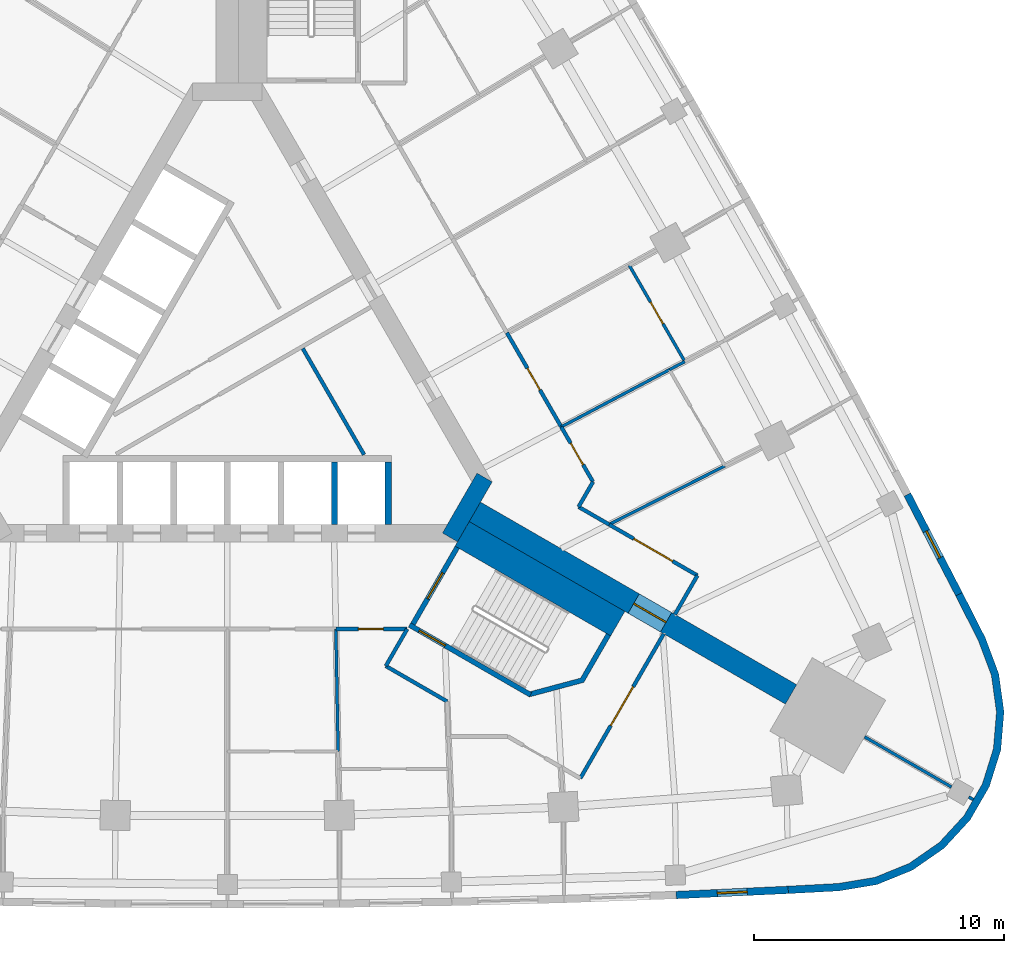
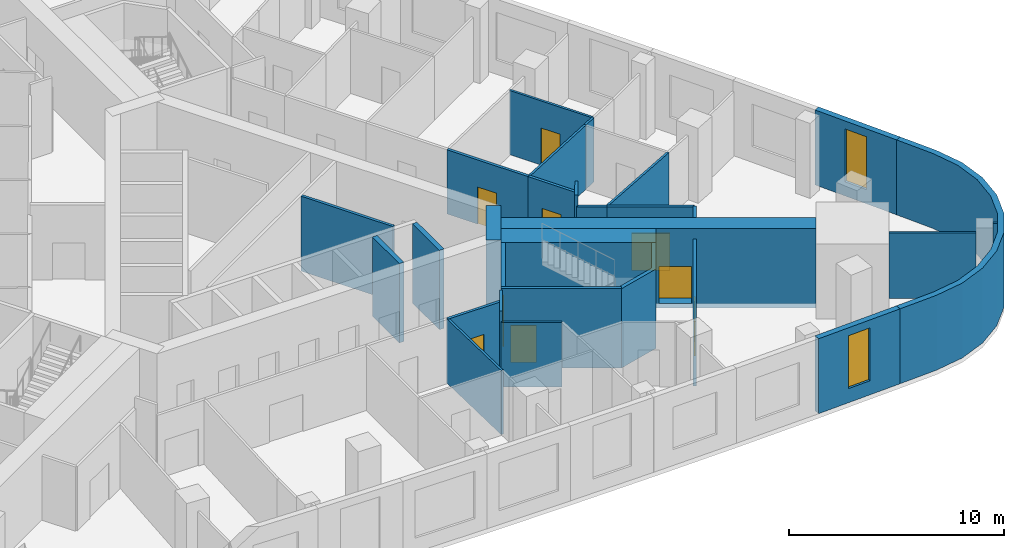
# One storey, part 7 of 11: 29 walls, 9 doors, 2 windows, 11 openings.
"""IFC4 building model written with IfcOpenShell, lengths in metres."""

from ifc_helpers import new_model, si_unit, direction, frame, frame_2d, origin, place, context, subcontext, project, spatial, polyline, rectangle, outline, extrude, material, layer, layer_set, type_object, element, fill, save


model = new_model("IFC4")

# Units and contexts
model_context = context("Model", 3, precision=1e-05, world=origin(), true_north=direction((0.0, 1.0)))
body_context = subcontext(model_context, "Body", "Model", "MODEL_VIEW")
ifc_project = project(units=[si_unit("LENGTHUNIT", "METRE"), si_unit("AREAUNIT", "SQUARE_METRE"), si_unit("VOLUMEUNIT", "CUBIC_METRE"), si_unit("PLANEANGLEUNIT", "RADIAN"), si_unit("MASSUNIT", "GRAM", prefix="KILO")], contexts=[model_context])

# Site, building, storey
site_placement = place(None, origin())
site = spatial("IfcSite", under=ifc_project, at=site_placement, CompositionType="ELEMENT")
building_placement = place(site_placement, origin())
building = spatial("IfcBuilding", under=site, at=building_placement, Name="Noor Cloister Tower", CompositionType="ELEMENT")
storey_placement = place(building_placement, frame((0.0, 0.0, 6.0)))
storey = spatial("IfcBuildingStorey", under=building, at=storey_placement, Name="L01", CompositionType="ELEMENT", Elevation=6.0)

# Wall, opening, door
ifc_material_1 = material(Name="Concrete C80/95", Category="concrete")
ifc_layer_1 = layer(ifc_material_1, 0.89990234375)
ifc_layer_set_1 = layer_set([ifc_layer_1], Name="Buttress wall 900 C80/95")
wall_type_1 = type_object("IfcWallType", Name="Buttress wall 900 C80/95", PredefinedType="SHEAR", material=ifc_layer_set_1)
wall_1_placement = place(storey_placement, frame((9.921630859375, -5.728271484375, -0.25), z_axis=(0.0, 0.0, 1.0), x_axis=(0.866028046028, -0.499995423472, 0.0)))
wall_1 = element("IfcWall", 1, at=wall_1_placement, inside=storey, type_object=wall_type_1, Name="Buttress wall SE L01", PredefinedType="SHEAR", context=body_context, shape_type="SweptSolid", body=[
    extrude(rectangle(XDim=14.632568359375, YDim=0.89990234375, at=frame_2d((7.31640625, 0.0))), origin(), (0.0, 0.0, 1.0), 4.5),
])
opening_1_placement = place(wall_1_placement, frame((7.35009765625, 0.0, 0.25)))
opening_1 = element("IfcOpeningElement", 2, at=opening_1_placement, cuts=wall_1, Name="Opening L01-036", PredefinedType="OPENING", context=body_context, shape_type="SweptSolid", body=[
    extrude(rectangle(XDim=1.5, YDim=2.10009765625, at=frame_2d((0.75, 1.050048828125))), frame((0.0, 0.4599609375, 0.0), z_axis=(0.0, -1.0, 0.0), x_axis=(1.0, 0.0, 0.0)), (0.0, 0.0, 1.0), 0.919921875),
])
ifc_material_2 = material(Name="Steel fire door", Category="steel")
door_type_1 = type_object("IfcDoorType", Name="Smoke barrier door FD60 1500", OperationType="DOUBLE_DOOR_SINGLE_SWING", PredefinedType="DOOR", material=ifc_material_2)
door_1_placement = place(opening_1_placement, origin())
door_1 = element("IfcDoor", 3, at=door_1_placement, inside=storey, type_object=door_type_1, Name="Door L01-036", OperationType="DOUBLE_DOOR_SINGLE_SWING", OverallHeight=2.10009765625, OverallWidth=1.5, PredefinedType="DOOR", context=body_context, shape_type="SweptSolid", body=[
    extrude(rectangle(XDim=1.5, YDim=2.10009765625, at=frame_2d((0.75, 1.050048828125))), frame((0.0, 0.02490234375, 0.0), z_axis=(0.0, -1.0, 0.0), x_axis=(1.0, 0.0, 0.0)), (0.0, 0.0, 1.0), 0.050048828125),
])
fill(opening_1, door_1)

# Walls
ifc_material_3 = material(Name="Concrete C30/37", Category="concrete")
ifc_layer_2 = layer(ifc_material_3, 0.14990234375)
ifc_layer_set_2 = layer_set([ifc_layer_2], Name="Core partition 150 C30/37")
wall_type_2 = type_object("IfcWallType", Name="Core partition 150 C30/37", PredefinedType="PARTITIONING", material=ifc_layer_set_2)
wall_2_placement = place(storey_placement, frame((5.482421875, -3.439208984375, 0.0), z_axis=(0.0, 0.0, 1.0), x_axis=(-0.500006183238, 0.866021833861, 0.0)))
element("IfcWall", 4, at=wall_2_placement, inside=storey, type_object=wall_type_2, Name="Core room partition L01 4", PredefinedType="PARTITIONING", context=body_context, shape_type="SweptSolid", body=[
    extrude(rectangle(XDim=4.916015625, YDim=0.14990234375, at=frame_2d((2.4580078125, 0.0))), origin(), (0.0, 0.0, 1.0), 4.25),
])
ifc_material_4 = material(Name="Concrete C80/95", Category="concrete")
ifc_layer_3 = layer(ifc_material_4, 0.699951171875)
ifc_layer_set_3 = layer_set([ifc_layer_3], Name="Core wall 700 C80/95")
wall_type_3 = type_object("IfcWallType", Name="Core wall 700 C80/95", PredefinedType="SHEAR", material=ifc_layer_set_3)
wall_3_placement = place(storey_placement, frame((8.925537109375, -6.753173828125, -0.25), z_axis=(0.0, 0.0, 1.0), x_axis=(0.500042739161, 0.866000726912, 0.0)))
element("IfcWall", 5, at=wall_3_placement, inside=storey, type_object=wall_type_3, Name="Core wall L01 2", PredefinedType="SHEAR", context=body_context, shape_type="SweptSolid", body=[
    extrude(rectangle(XDim=2.771240234375, YDim=0.699951171875, at=frame_2d((1.3857421875, 0.0))), origin(), (0.0, 0.0, 1.0), 4.5),
])

# Wall, opening, door
ifc_material_5 = material(Name="Plasterboard on steel studs", Category="steel")
ifc_layer_4 = layer(ifc_material_5, 0.14990234375)
ifc_layer_set_4 = layer_set([ifc_layer_4], Name="Corridor wall 150")
wall_type_4 = type_object("IfcWallType", Name="Corridor wall 150", PredefinedType="PARTITIONING", material=ifc_layer_set_4)
wall_4_placement = place(storey_placement, frame((17.490966796875, -10.617919921875, 0.0), z_axis=(0.0, 0.0, 1.0), x_axis=(-0.499969057507, -0.866043267704, 0.0)))
wall_4 = element("IfcWall", 6, at=wall_4_placement, inside=storey, type_object=wall_type_4, Name="Partition", PredefinedType="PARTITIONING", context=body_context, shape_type="SweptSolid", body=[
    extrude(rectangle(XDim=6.6845703125, YDim=0.14990234375, at=frame_2d((3.34228515625, 0.0))), origin(), (0.0, 0.0, 1.0), 3.637939453125),
])
opening_2_placement = place(wall_4_placement, frame((2.449951171875, 0.0, 0.0)))
opening_2 = element("IfcOpeningElement", 7, at=opening_2_placement, cuts=wall_4, Name="Opening L01-005", PredefinedType="OPENING", context=body_context, shape_type="SweptSolid", body=[
    extrude(rectangle(XDim=1.800048828125, YDim=2.10009765625, at=frame_2d((0.89990234375, 1.050048828125))), frame((0.0, 0.0849609375, 0.0), z_axis=(0.0, -1.0, 0.0), x_axis=(1.0, 0.0, 0.0)), (0.0, 0.0, 1.0), 0.169921875),
])
ifc_material_6 = material(Name="Timber door leaf", Category="wood")
door_type_2 = type_object("IfcDoorType", Name="Double leaf door 1800", OperationType="DOUBLE_DOOR_SINGLE_SWING", PredefinedType="DOOR", material=ifc_material_6)
door_2_placement = place(opening_2_placement, origin())
door_2 = element("IfcDoor", 8, at=door_2_placement, inside=storey, type_object=door_type_2, Name="Door L01-005", OperationType="DOUBLE_DOOR_SINGLE_SWING", OverallHeight=2.10009765625, OverallWidth=1.800048828125, PredefinedType="DOOR", context=body_context, shape_type="SweptSolid", body=[
    extrude(rectangle(XDim=1.800048828125, YDim=2.10009765625, at=frame_2d((0.89990234375, 1.050048828125))), frame((0.0, 0.02490234375, 0.0), z_axis=(0.0, -1.0, 0.0), x_axis=(1.0, 0.0, 0.0)), (0.0, 0.0, 1.0), 0.050048828125),
])
fill(opening_2, door_2)

# Walls
wall_5_placement = place(storey_placement, frame((8.81298828125, -13.3291015625, 0.0), z_axis=(0.0, 0.0, 1.0), x_axis=(-0.865804661524, 0.50038214205, 0.0)))
element("IfcWall", 9, at=wall_5_placement, inside=storey, type_object=wall_type_4, Name="Partition", PredefinedType="PARTITIONING", context=body_context, shape_type="SweptSolid", body=[
    extrude(rectangle(XDim=2.840087890625, YDim=0.14990234375, at=frame_2d((1.419921875, 0.0))), origin(), (0.0, 0.0, 1.0), 3.637939453125),
])
wall_6_placement = place(storey_placement, frame((6.35400390625, -11.906005859375, 0.0), z_axis=(0.0, 0.0, 1.0), x_axis=(0.500291894738, 0.865856812677, 0.0)))
element("IfcWall", 10, at=wall_6_placement, inside=storey, type_object=wall_type_4, Name="Partition", PredefinedType="PARTITIONING", context=body_context, shape_type="SweptSolid", body=[
    extrude(rectangle(XDim=1.70703125, YDim=0.14990234375, at=frame_2d((0.853515625, 0.0))), origin(), (0.0, 0.0, 1.0), 4.25),
])

# Wall, opening, door
wall_7_placement = place(storey_placement, frame((7.2080078125, -10.427978515625, 0.0), z_axis=(0.0, 0.0, 1.0), x_axis=(-1.0, 0.0, 0.0)))
wall_7 = element("IfcWall", 11, at=wall_7_placement, inside=storey, type_object=wall_type_4, Name="Partition", PredefinedType="PARTITIONING", context=body_context, shape_type="SweptSolid", body=[
    extrude(rectangle(XDim=2.861083984375, YDim=0.14990234375, at=frame_2d((1.4306640625, 0.0))), origin(), (0.0, 0.0, 1.0), 3.637939453125),
])
opening_3_placement = place(wall_7_placement, frame((0.949951171875, 0.0, 0.0)))
opening_3 = element("IfcOpeningElement", 12, at=opening_3_placement, cuts=wall_7, Name="Opening L01-009", PredefinedType="OPENING", context=body_context, shape_type="SweptSolid", body=[
    extrude(rectangle(XDim=1.0, YDim=2.10009765625, at=frame_2d((0.5, 1.050048828125))), frame((0.0, 0.0849609375, 0.0), z_axis=(0.0, -1.0, 0.0), x_axis=(1.0, 0.0, 0.0)), (0.0, 0.0, 1.0), 0.169921875),
])
ifc_material_7 = material(Name="Timber door leaf", Category="wood")
door_type_3 = type_object("IfcDoorType", Name="Clinic room door 1000", OperationType="SINGLE_SWING_LEFT", PredefinedType="DOOR", material=ifc_material_7)
door_3_placement = place(opening_3_placement, origin())
door_3 = element("IfcDoor", 13, at=door_3_placement, inside=storey, type_object=door_type_3, Name="Door L01-009", OperationType="SINGLE_SWING_RIGHT", OverallHeight=2.10009765625, OverallWidth=1.0, PredefinedType="DOOR", context=body_context, shape_type="SweptSolid", body=[
    extrude(rectangle(XDim=1.0, YDim=2.10009765625, at=frame_2d((0.5, 1.050048828125))), frame((0.0, 0.02490234375, 0.0), z_axis=(0.0, -1.0, 0.0), x_axis=(1.0, 0.0, 0.0)), (0.0, 0.0, 1.0), 0.050048828125),
])
fill(opening_3, door_3)

wall_8_placement = place(storey_placement, frame((15.294921875, -6.23193359375, 0.0), z_axis=(0.0, 0.0, 1.0), x_axis=(0.865991915229, -0.500057999394, 0.0)))
wall_8 = element("IfcWall", 14, at=wall_8_placement, inside=storey, type_object=wall_type_4, Name="Partition", PredefinedType="PARTITIONING", context=body_context, shape_type="SweptSolid", body=[
    extrude(rectangle(XDim=4.09375, YDim=0.14990234375, at=frame_2d((2.046875, 0.0))), origin(), (0.0, 0.0, 1.0), 3.637939453125),
])
opening_4_placement = place(wall_8_placement, frame((1.14990234375, 0.0, 0.0)))
opening_4 = element("IfcOpeningElement", 15, at=opening_4_placement, cuts=wall_8, Name="Opening L01-011", PredefinedType="OPENING", context=body_context, shape_type="SweptSolid", body=[
    extrude(rectangle(XDim=1.800048828125, YDim=2.10009765625, at=frame_2d((0.89990234375, 1.050048828125))), frame((0.0, 0.0849609375, 0.0), z_axis=(0.0, -1.0, 0.0), x_axis=(1.0, 0.0, 0.0)), (0.0, 0.0, 1.0), 0.169921875),
])
door_4_placement = place(opening_4_placement, origin())
door_4 = element("IfcDoor", 16, at=door_4_placement, inside=storey, type_object=door_type_2, Name="Door L01-011", OperationType="DOUBLE_DOOR_SINGLE_SWING", OverallHeight=2.10009765625, OverallWidth=1.800048828125, PredefinedType="DOOR", context=body_context, shape_type="SweptSolid", body=[
    extrude(rectangle(XDim=1.800048828125, YDim=2.10009765625, at=frame_2d((0.89990234375, 1.050048828125))), frame((0.0, 0.02490234375, 0.0), z_axis=(0.0, -1.0, 0.0), x_axis=(1.0, 0.0, 0.0)), (0.0, 0.0, 1.0), 0.050048828125),
])
fill(opening_4, door_4)

# Wall
wall_9_placement = place(storey_placement, frame((18.840087890625, -8.281005859375, 0.0), z_axis=(0.0, 0.0, 1.0), x_axis=(-0.500126010714, -0.86595263924, 0.0)))
element("IfcWall", 17, at=wall_9_placement, inside=storey, type_object=wall_type_4, Name="Partition", PredefinedType="PARTITIONING", context=body_context, shape_type="SweptSolid", body=[
    extrude(rectangle(XDim=1.7978515625, YDim=0.14990234375, at=frame_2d((0.89892578125, 0.0))), origin(), (0.0, 0.0, 1.0), 3.637939453125),
])

# Wall, opening, door
wall_10_placement = place(storey_placement, frame((13.385009765625, -2.325927734375, 0.0), z_axis=(0.0, 0.0, 1.0), x_axis=(0.500043940957, -0.866000032975, 0.0)))
wall_10 = element("IfcWall", 18, at=wall_10_placement, inside=storey, type_object=wall_type_4, Name="Partition", PredefinedType="PARTITIONING", context=body_context, shape_type="SweptSolid", body=[
    extrude(rectangle(XDim=2.541748046875, YDim=0.14990234375, at=frame_2d((1.27099609375, 0.0))), origin(), (0.0, 0.0, 1.0), 3.637939453125),
])
opening_5_placement = place(wall_10_placement, frame((0.75, 0.0, 0.0)))
opening_5 = element("IfcOpeningElement", 19, at=opening_5_placement, cuts=wall_10, Name="Opening L01-012", PredefinedType="OPENING", context=body_context, shape_type="SweptSolid", body=[
    extrude(rectangle(XDim=1.0, YDim=2.10009765625, at=frame_2d((0.5, 1.050048828125))), frame((0.0, 0.0849609375, 0.0), z_axis=(0.0, -1.0, 0.0), x_axis=(1.0, 0.0, 0.0)), (0.0, 0.0, 1.0), 0.169921875),
])
door_5_placement = place(opening_5_placement, origin())
door_5 = element("IfcDoor", 20, at=door_5_placement, inside=storey, type_object=door_type_3, Name="Door L01-012", OperationType="SINGLE_SWING_LEFT", OverallHeight=2.10009765625, OverallWidth=1.0, PredefinedType="DOOR", context=body_context, shape_type="SweptSolid", body=[
    extrude(rectangle(XDim=1.0, YDim=2.10009765625, at=frame_2d((0.5, 1.050048828125))), frame((0.0, 0.02490234375, 0.0), z_axis=(0.0, -1.0, 0.0), x_axis=(1.0, 0.0, 0.0)), (0.0, 0.0, 1.0), 0.050048828125),
])
fill(opening_5, door_5)

# Walls
wall_11_placement = place(storey_placement, frame((14.656005859375, -4.529052734375, 0.0), z_axis=(0.0, 0.0, 1.0), x_axis=(-0.500502949238, -0.865734831114, 0.0)))
element("IfcWall", 21, at=wall_11_placement, inside=storey, type_object=wall_type_4, Name="Partition", PredefinedType="PARTITIONING", context=body_context, shape_type="SweptSolid", body=[
    extrude(rectangle(XDim=1.155029296875, YDim=0.14990234375, at=frame_2d((0.57763671875, 0.0))), origin(), (0.0, 0.0, 1.0), 4.25),
])
wall_12_placement = place(storey_placement, frame((14.077880859375, -5.529052734375, 0.0), z_axis=(0.0, 0.0, 1.0), x_axis=(0.865984561414, -0.500070734389, 0.0)))
element("IfcWall", 22, at=wall_12_placement, inside=storey, type_object=wall_type_4, Name="Partition", PredefinedType="PARTITIONING", context=body_context, shape_type="SweptSolid", body=[
    extrude(rectangle(XDim=1.415771484375, YDim=0.14990234375, at=frame_2d((0.7080078125, 0.0))), origin(), (0.0, 0.0, 1.0), 3.637939453125),
])

# Wall, opening, door
wall_13_placement = place(storey_placement, frame((11.205078125, 1.449951171875, 0.0), z_axis=(0.0, 0.0, 1.0), x_axis=(0.50011048, -0.86596160873, 0.0)))
wall_13 = element("IfcWall", 23, at=wall_13_placement, inside=storey, type_object=wall_type_4, Name="Partition", PredefinedType="PARTITIONING", context=body_context, shape_type="SweptSolid", body=[
    extrude(rectangle(XDim=4.35693359375, YDim=0.14990234375, at=frame_2d((2.178466796875, 0.0))), origin(), (0.0, 0.0, 1.0), 3.637939453125),
])
opening_6_placement = place(wall_13_placement, frame((1.64990234375, 0.0, 0.0)))
opening_6 = element("IfcOpeningElement", 24, at=opening_6_placement, cuts=wall_13, Name="Opening L01-014", PredefinedType="OPENING", context=body_context, shape_type="SweptSolid", body=[
    extrude(rectangle(XDim=1.0, YDim=2.10009765625, at=frame_2d((0.5, 1.050048828125))), frame((0.0, 0.0849609375, 0.0), z_axis=(0.0, -1.0, 0.0), x_axis=(1.0, 0.0, 0.0)), (0.0, 0.0, 1.0), 0.169921875),
])
door_6_placement = place(opening_6_placement, origin())
door_6 = element("IfcDoor", 25, at=door_6_placement, inside=storey, type_object=door_type_3, Name="Door L01-014", OperationType="SINGLE_SWING_LEFT", OverallHeight=2.10009765625, OverallWidth=1.0, PredefinedType="DOOR", context=body_context, shape_type="SweptSolid", body=[
    extrude(rectangle(XDim=1.0, YDim=2.10009765625, at=frame_2d((0.5, 1.050048828125))), frame((0.0, 0.02490234375, 0.0), z_axis=(0.0, -1.0, 0.0), x_axis=(1.0, 0.0, 0.0)), (0.0, 0.0, 1.0), 0.050048828125),
])
fill(opening_6, door_6)

# Wall
ifc_material_8 = material(Name="Limestone", Category="masonry")
ifc_layer_5 = layer(ifc_material_8, 0.300048828125)
ifc_layer_set_5 = layer_set([ifc_layer_5], Name="Limestone cladding 300")
wall_type_5 = type_object("IfcWallType", Name="Limestone cladding 300", PredefinedType="NOTDEFINED", material=ifc_layer_set_5)
wall_14_placement = place(storey_placement, origin())
element("IfcWall", 26, at=wall_14_placement, inside=storey, type_object=wall_type_5, Name="Limestone pier cladding L01 2.1", PredefinedType="NOTDEFINED", context=body_context, shape_type="SweptSolid", body=[
    extrude(outline(polyline([(22.490234375, -21.02978515625), (24.52197265625, -20.920654296875), (26.03955078125, -20.666259765625), (27.46484375, -20.086181640625), (28.72900390625, -19.208984375), (29.77099609375, -18.07666015625), (30.540283203125, -16.744140625), (31.0, -15.275634765625), (31.127685546875, -13.7421875), (30.917236328125, -12.2177734375), (30.378662109375, -10.7763671875), (29.457275390625, -8.962158203125), (29.18994140625, -9.097900390625), (30.103515625, -10.89697265625), (30.62451171875, -12.291748046875), (30.825927734375, -13.750244140625), (30.70361328125, -15.217529296875), (30.263916015625, -16.622802734375), (29.52783203125, -17.89794921875), (28.53076171875, -18.9814453125), (27.321044921875, -19.82080078125), (25.95703125, -20.375732421875), (24.489013671875, -20.621826171875), (22.47412109375, -20.730224609375), (22.490234375, -21.02978515625)])), origin(), (0.0, 0.0, 1.0), 4.25),
])

# Wall, opening, window
ifc_material_9 = material(Name="Limestone", Category="masonry")
ifc_layer_6 = layer(ifc_material_9, 0.300048828125)
ifc_layer_set_6 = layer_set([ifc_layer_6], Name="Limestone panel wall 300")
wall_type_6 = type_object("IfcWallType", Name="Limestone panel wall 300", PredefinedType="NOTDEFINED", material=ifc_layer_set_6)
wall_15_placement = place(storey_placement, frame((22.481201171875, -20.8798828125, 0.0), z_axis=(0.0, 0.0, 1.0), x_axis=(-0.998931717866, -0.046210637742, 0.0)))
wall_15 = element("IfcWall", 27, at=wall_15_placement, inside=storey, type_object=wall_type_6, Name="Limestone wall L01 S 10", PredefinedType="NOTDEFINED", context=body_context, shape_type="SweptSolid", body=[
    extrude(rectangle(XDim=4.49609375, YDim=0.300048828125, at=frame_2d((2.248046875, 0.0))), origin(), (0.0, 0.0, 1.0), 4.25),
])
opening_7_placement = place(wall_15_placement, frame((1.64794921875, 0.0, 0.800048828125)))
opening_7 = element("IfcOpeningElement", 28, at=opening_7_placement, cuts=wall_15, Name="Opening L01-W20", PredefinedType="OPENING", context=body_context, shape_type="SweptSolid", body=[
    extrude(rectangle(XDim=1.199951171875, YDim=3.0, at=frame_2d((0.60009765625, 1.5))), frame((0.0, 0.16015625, 0.0), z_axis=(0.0, -1.0, 0.0), x_axis=(1.0, 0.0, 0.0)), (0.0, 0.0, 1.0), 0.320068359375),
])
ifc_material_10 = material(Name="Aluminium 6063-T6 anodised", Category="aluminium")
window_type = type_object("IfcWindowType", Name="Lancet window 1200 x 3000", PartitioningType="SINGLE_PANEL", PredefinedType="WINDOW", material=ifc_material_10)
window_1_placement = place(opening_7_placement, origin())
window_1 = element("IfcWindow", 29, at=window_1_placement, inside=storey, type_object=window_type, Name="Window L01 20", OverallHeight=3.0, OverallWidth=1.199951171875, PartitioningType="SINGLE_PANEL", PredefinedType="WINDOW", context=body_context, shape_type="SweptSolid", body=[
    extrude(rectangle(XDim=1.199951171875, YDim=3.0, at=frame_2d((0.60009765625, 1.5))), frame((0.0, 0.030029296875, 0.0), z_axis=(0.0, -1.0, 0.0), x_axis=(1.0, 0.0, 0.0)), (0.0, 0.0, 1.0), 0.06005859375),
])
fill(opening_7, window_1)

wall_16_placement = place(storey_placement, frame((27.257568359375, -5.035888671875, 0.0), z_axis=(0.0, 0.0, 1.0), x_axis=(0.459443600121, -0.888206945654, 0.0)))
wall_16 = element("IfcWall", 30, at=wall_16_placement, inside=storey, type_object=wall_type_6, Name="Limestone wall L01 NE 1", PredefinedType="NOTDEFINED", context=body_context, shape_type="SweptSolid", body=[
    extrude(rectangle(XDim=4.49609375, YDim=0.300048828125, at=frame_2d((2.248046875, 0.0))), origin(), (0.0, 0.0, 1.0), 4.25),
])
opening_8_placement = place(wall_16_placement, frame((1.64794921875, 0.0, 0.800048828125)))
opening_8 = element("IfcOpeningElement", 31, at=opening_8_placement, cuts=wall_16, Name="Opening L01-W21", PredefinedType="OPENING", context=body_context, shape_type="SweptSolid", body=[
    extrude(rectangle(XDim=1.199951171875, YDim=3.0, at=frame_2d((0.60009765625, 1.5))), frame((0.0, 0.16015625, 0.0), z_axis=(0.0, -1.0, 0.0), x_axis=(1.0, 0.0, 0.0)), (0.0, 0.0, 1.0), 0.320068359375),
])
window_2_placement = place(opening_8_placement, origin())
window_2 = element("IfcWindow", 32, at=window_2_placement, inside=storey, type_object=window_type, Name="Window L01 21", OverallHeight=3.0, OverallWidth=1.199951171875, PartitioningType="SINGLE_PANEL", PredefinedType="WINDOW", context=body_context, shape_type="SweptSolid", body=[
    extrude(rectangle(XDim=1.199951171875, YDim=3.0, at=frame_2d((0.60009765625, 1.5))), frame((0.0, 0.030029296875, 0.0), z_axis=(0.0, -1.0, 0.0), x_axis=(1.0, 0.0, 0.0)), (0.0, 0.0, 1.0), 0.06005859375),
])
fill(opening_8, window_2)

# Walls
ifc_material_11 = material(Name="Plasterboard on steel studs", Category="steel")
ifc_layer_7 = layer(ifc_material_11, 0.1201171875)
ifc_layer_set_7 = layer_set([ifc_layer_7], Name="Partition wall 120")
wall_type_7 = type_object("IfcWallType", Name="Partition wall 120", PredefinedType="PARTITIONING", material=ifc_layer_set_7)
wall_17_placement = place(storey_placement, frame((29.02294921875, -16.757080078125, 0.0), z_axis=(0.0, 0.0, 1.0), x_axis=(-0.866027971625, 0.499995552344, 0.0)))
element("IfcWall", 33, at=wall_17_placement, inside=storey, type_object=wall_type_7, Name="Partition", PredefinedType="PARTITIONING", context=body_context, shape_type="SweptSolid", body=[
    extrude(rectangle(XDim=4.02392578125, YDim=0.1201171875, at=frame_2d((2.011962890625, 0.0))), origin(), (0.0, 0.0, 1.0), 3.717041015625),
])
wall_18_placement = place(storey_placement, frame((29.89599609375, -17.260986328125, 0.0), z_axis=(0.0, 0.0, 1.0), x_axis=(-0.865774595023, 0.500434162116, 0.0)))
element("IfcWall", 34, at=wall_18_placement, inside=storey, type_object=wall_type_7, Name="Partition", PredefinedType="PARTITIONING", context=body_context, shape_type="SweptSolid", body=[
    extrude(rectangle(XDim=0.207763671875, YDim=0.1201171875, at=frame_2d((0.10400390625, 0.0))), origin(), (0.0, 0.0, 1.0), 4.25),
])
wall_19_placement = place(storey_placement, frame((4.44189453125, -15.33203125, 0.0), z_axis=(0.0, 0.0, 1.0), x_axis=(-0.018519952131, 0.999828490979, 0.0)))
element("IfcWall", 35, at=wall_19_placement, inside=storey, type_object=wall_type_7, Name="Partition", PredefinedType="PARTITIONING", context=body_context, shape_type="SweptSolid", body=[
    extrude(rectangle(XDim=4.90380859375, YDim=0.1201171875, at=frame_2d((2.451904296875, 0.0))), origin(), (0.0, 0.0, 1.0), 3.637939453125),
])
wall_20_placement = place(storey_placement, frame((19.94189453125, -3.887939453125, 0.0), z_axis=(0.0, 0.0, 1.0), x_axis=(-0.89239982182, -0.451245562877, 0.0)))
element("IfcWall", 36, at=wall_20_placement, inside=storey, type_object=wall_type_7, Name="Partition", PredefinedType="PARTITIONING", context=body_context, shape_type="SweptSolid", body=[
    extrude(rectangle(XDim=5.201416015625, YDim=0.1201171875, at=frame_2d((2.6005859375, 0.0))), origin(), (0.0, 0.0, 1.0), 3.637939453125),
])
wall_21_placement = place(storey_placement, frame((17.717041015625, -0.033935546875, 0.0), z_axis=(0.0, 0.0, 1.0), x_axis=(-0.884117284138, -0.467265051003, 0.0)))
element("IfcWall", 37, at=wall_21_placement, inside=storey, type_object=wall_type_7, Name="Partition", PredefinedType="PARTITIONING", context=body_context, shape_type="SweptSolid", body=[
    extrude(rectangle(XDim=4.90087890625, YDim=0.1201171875, at=frame_2d((2.450439453125, 0.0))), origin(), (0.0, 0.0, 1.0), 3.637939453125),
])
wall_22_placement = place(storey_placement, frame((18.3359375, 0.2939453125, 0.0), z_axis=(0.0, 0.0, 1.0), x_axis=(-0.883890154601, -0.467694552672, 0.0)))
element("IfcWall", 38, at=wall_22_placement, inside=storey, type_object=wall_type_7, Name="Partition", PredefinedType="PARTITIONING", context=body_context, shape_type="SweptSolid", body=[
    extrude(rectangle(XDim=0.69677734375, YDim=0.1201171875, at=frame_2d((0.348388671875, 0.0))), origin(), (0.0, 0.0, 1.0), 3.637939453125),
])

# Wall, opening, door
wall_23_placement = place(storey_placement, frame((18.3359375, 0.294921875, 0.0), z_axis=(0.0, 0.0, 1.0), x_axis=(-0.499992780121, 0.866029572143, 0.0)))
wall_23 = element("IfcWall", 39, at=wall_23_placement, inside=storey, type_object=wall_type_7, Name="Partition", PredefinedType="PARTITIONING", context=body_context, shape_type="SweptSolid", body=[
    extrude(rectangle(XDim=4.4560546875, YDim=0.1201171875, at=frame_2d((2.22802734375, 0.0))), origin(), (0.0, 0.0, 1.0), 3.637939453125),
])
opening_9_placement = place(wall_23_placement, frame((1.75, 0.0, 0.0)))
opening_9 = element("IfcOpeningElement", 40, at=opening_9_placement, cuts=wall_23, Name="Opening L01-016", PredefinedType="OPENING", context=body_context, shape_type="SweptSolid", body=[
    extrude(rectangle(XDim=1.0, YDim=2.10009765625, at=frame_2d((0.5, 1.050048828125))), frame((0.0, 0.070068359375, 0.0), z_axis=(0.0, -1.0, 0.0), x_axis=(1.0, 0.0, 0.0)), (0.0, 0.0, 1.0), 0.14013671875),
])
door_7_placement = place(opening_9_placement, origin())
door_7 = element("IfcDoor", 41, at=door_7_placement, inside=storey, type_object=door_type_3, Name="Door L01-016", OperationType="SINGLE_SWING_LEFT", OverallHeight=2.10009765625, OverallWidth=1.0, PredefinedType="DOOR", context=body_context, shape_type="SweptSolid", body=[
    extrude(rectangle(XDim=1.0, YDim=2.10009765625, at=frame_2d((0.5, 1.050048828125))), frame((0.0, 0.02490234375, 0.0), z_axis=(0.0, -1.0, 0.0), x_axis=(1.0, 0.0, 0.0)), (0.0, 0.0, 1.0), 0.050048828125),
])
fill(opening_9, door_7)

# Walls
ifc_material_12 = material(Name="Concrete C80/95", Category="concrete")
ifc_layer_8 = layer(ifc_material_12, 0.25)
ifc_layer_set_8 = layer_set([ifc_layer_8], Name="Shaft wall 250 C80/95")
wall_type_8 = type_object("IfcWallType", Name="Shaft wall 250 C80/95", PredefinedType="PARTITIONING", material=ifc_layer_set_8)
for number, where, z_axis, x_axis, name in (
    (42, (4.300048828125, -6.228271484375, -0.25), (0.0, 0.0, 1.0), (0.0, 1.0, 0.0), "Lift shaft wall L01 S 6"),
    (43, (6.449951171875, -6.228271484375, -0.25), (0.0, 0.0, 1.0), (0.0, 1.0, 0.0), "Lift shaft wall L01 S 7"),
):
    element("IfcWall", number, at=place(storey_placement, frame(where, z_axis=z_axis, x_axis=x_axis)), inside=storey, type_object=wall_type_8, Name=name, PredefinedType="PARTITIONING", context=body_context, shape_type="SweptSolid", body=[
        extrude(rectangle(XDim=2.5, YDim=0.25, at=frame_2d((1.25, 0.0))), origin(), (0.0, 0.0, 1.0), 4.5),
    ])
ifc_material_13 = material(Name="Concrete C80/95", Category="concrete")
ifc_layer_9 = layer(ifc_material_13, 1.135986328125)
ifc_layer_set_9 = layer_set([ifc_layer_9], Name="Stair enclosure wall 1136 C80/95")
wall_type_9 = type_object("IfcWallType", Name="Stair enclosure wall 1136 C80/95", PredefinedType="SHEAR", material=ifc_layer_set_9)
wall_24_placement = place(storey_placement, frame((9.41259765625, -6.609619140625, -0.25), z_axis=(0.0, 0.0, 1.0), x_axis=(0.866018442252, -0.500012057535, 0.0)))
element("IfcWall", 44, at=wall_24_placement, inside=storey, type_object=wall_type_9, Name="Stair enclosure wall ST3 L01 riser side", PredefinedType="SHEAR", context=body_context, shape_type="SweptSolid", body=[
    extrude(rectangle(XDim=7.199951171875, YDim=1.1357421875, at=frame_2d((3.60009765625, 0.0))), origin(), (0.0, 0.0, 1.0), 4.5),
])

# Wall, opening, door
ifc_material_14 = material(Name="Concrete C80/95", Category="concrete")
ifc_layer_10 = layer(ifc_material_14, 0.199951171875)
ifc_layer_set_10 = layer_set([ifc_layer_10], Name="Stair enclosure wall 200 C80/95")
wall_type_10 = type_object("IfcWallType", Name="Stair enclosure wall 200 C80/95", PredefinedType="SHEAR", material=ifc_layer_set_10)
wall_25_placement = place(storey_placement, frame((7.440185546875, -10.225830078125, -0.25), z_axis=(0.0, 0.0, 1.0), x_axis=(0.500022077904, 0.866012656725, 0.0)))
wall_25 = element("IfcWall", 45, at=wall_25_placement, inside=storey, type_object=wall_type_10, Name="Stair enclosure wall ST3 L01 near end", PredefinedType="SHEAR", context=body_context, shape_type="SweptSolid", body=[
    extrude(rectangle(XDim=3.550048828125, YDim=0.199951171875, at=frame_2d((1.77490234375, 0.0))), origin(), (0.0, 0.0, 1.0), 4.5),
])
opening_10_placement = place(wall_25_placement, frame((1.175048828125, 0.0, 0.25)))
opening_10 = element("IfcOpeningElement", 46, at=opening_10_placement, cuts=wall_25, Name="Opening L01-ST3L", PredefinedType="OPENING", context=body_context, shape_type="SweptSolid", body=[
    extrude(rectangle(XDim=1.199951171875, YDim=2.10009765625, at=frame_2d((0.60009765625, 1.050048828125))), frame((0.0, 0.10986328125, 0.0), z_axis=(0.0, -1.0, 0.0), x_axis=(1.0, 0.0, 0.0)), (0.0, 0.0, 1.0), 0.219970703125),
])
ifc_material_15 = material(Name="Steel", Category="steel")
door_type_4 = type_object("IfcDoorType", Name="Stair door 1200 x 2100 FD120", OperationType="SINGLE_SWING_LEFT", PredefinedType="DOOR", material=ifc_material_15)
door_8_placement = place(opening_10_placement, origin())
door_8 = element("IfcDoor", 47, at=door_8_placement, inside=storey, type_object=door_type_4, Name="Stair door ST3 L01", OperationType="SINGLE_SWING_RIGHT", OverallHeight=2.10009765625, OverallWidth=1.199951171875, PredefinedType="DOOR", context=body_context, shape_type="SweptSolid", body=[
    extrude(rectangle(XDim=1.199951171875, YDim=2.10009765625, at=frame_2d((0.60009765625, 1.050048828125))), frame((0.0, 0.02490234375, 0.0), z_axis=(0.0, -1.0, 0.0), x_axis=(1.0, 0.0, 0.0)), (0.0, 0.0, 1.0), 0.050048828125),
])
fill(opening_10, door_8)

wall_26_placement = place(storey_placement, frame((7.3037109375, -10.262451171875, -0.25), z_axis=(0.0, 0.0, 1.0), x_axis=(0.866026594901, -0.49999793692, 0.0)))
wall_26 = element("IfcWall", 48, at=wall_26_placement, inside=storey, type_object=wall_type_10, Name="Stair enclosure wall ST3 L01 outer side", PredefinedType="SHEAR", context=body_context, shape_type="SweptSolid", body=[
    extrude(rectangle(XDim=5.60009765625, YDim=0.199951171875, at=frame_2d((2.800048828125, 0.0))), origin(), (0.0, 0.0, 1.0), 4.5),
])
opening_11_placement = place(wall_26_placement, frame((0.449951171875, 0.0, 0.25)))
opening_11 = element("IfcOpeningElement", 49, at=opening_11_placement, cuts=wall_26, Name="Opening L01-ST3C", PredefinedType="OPENING", context=body_context, shape_type="SweptSolid", body=[
    extrude(rectangle(XDim=1.199951171875, YDim=2.10009765625, at=frame_2d((0.60009765625, 1.050048828125))), frame((0.0, 0.10986328125, 0.0), z_axis=(0.0, -1.0, 0.0), x_axis=(1.0, 0.0, 0.0)), (0.0, 0.0, 1.0), 0.219970703125),
])
door_9_placement = place(opening_11_placement, origin())
door_9 = element("IfcDoor", 50, at=door_9_placement, inside=storey, type_object=door_type_4, Name="Stair door ST3 L01", OperationType="SINGLE_SWING_LEFT", OverallHeight=2.10009765625, OverallWidth=1.199951171875, PredefinedType="DOOR", context=body_context, shape_type="SweptSolid", body=[
    extrude(rectangle(XDim=1.199951171875, YDim=2.10009765625, at=frame_2d((0.60009765625, 1.050048828125))), frame((0.0, 0.02490234375, 0.0), z_axis=(0.0, -1.0, 0.0), x_axis=(1.0, 0.0, 0.0)), (0.0, 0.0, 1.0), 0.050048828125),
])
fill(opening_11, door_9)

# Wall
ifc_material_16 = material(Name="Concrete C80/95", Category="concrete")
wall_type_11 = type_object("IfcWallType", Name="Stair far end wall C80/95", PredefinedType="SHEAR", material=ifc_material_16)
wall_27_placement = place(storey_placement, frame((0.0, 0.0, -0.25)))
element("IfcWall", 51, at=wall_27_placement, inside=storey, type_object=wall_type_11, Name="Stair enclosure wall ST3 L01 far end", PredefinedType="SHEAR", context=body_context, shape_type="SweptSolid", body=[
    extrude(outline(polyline([(12.103515625, -13.14892578125), (14.2890625, -12.5634765625), (15.364013671875, -10.701416015625), (15.19091796875, -10.601318359375), (14.1572265625, -12.3916015625), (12.131591796875, -12.934326171875), (12.20361328125, -12.975830078125), (12.20361328125, -12.975830078125), (12.20361328125, -12.975830078125), (12.20361328125, -12.975830078125), (12.20361328125, -12.975830078125), (12.20361328125, -12.975830078125), (12.20361328125, -12.975830078125), (12.20361328125, -12.975830078125), (12.20361328125, -12.975830078125), (12.20361328125, -12.975830078125), (12.20361328125, -12.975830078125), (12.20361328125, -12.975830078125), (12.20361328125, -12.975830078125), (12.20361328125, -12.975830078125), (12.20361328125, -12.975830078125), (12.20361328125, -12.975830078125), (12.20361328125, -12.975830078125), (12.103515625, -13.14892578125)])), origin(), (0.0, 0.0, 1.0), 4.5),
])

save(model, "model.ifc")
